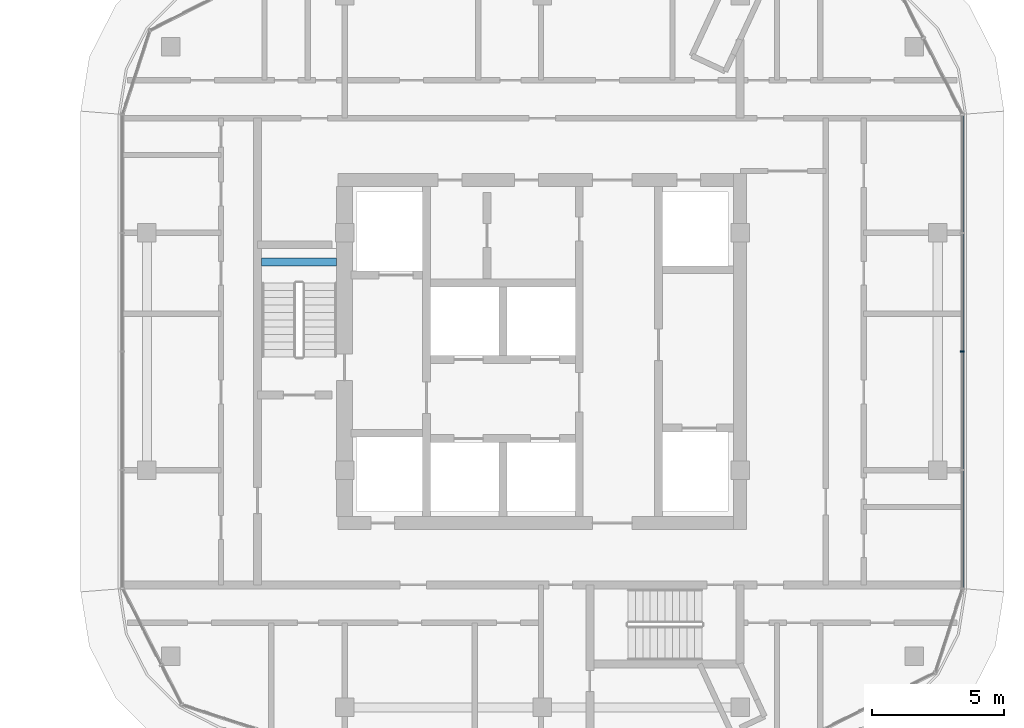
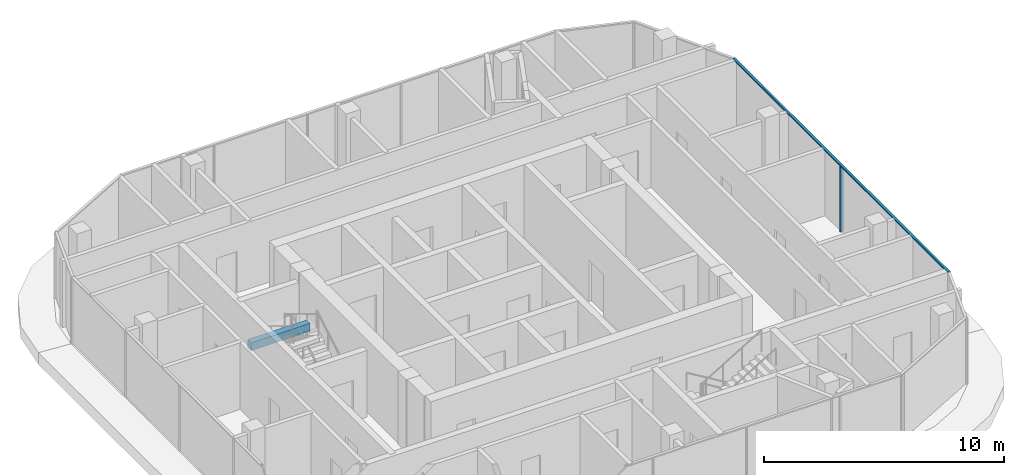
# One storey, part 12 of 40: 2 members, 1 beam, 1 element without a shape of its own.
"""IFC4 building model written with IfcOpenShell, lengths in metres."""

from ifc_helpers import new_model, si_unit, direction, frame, origin, origin_2d, place, context, subcontext, project, spatial, rectangle, extrude, material, material_profile, profile_set, type_object, element, aggregate, save


model = new_model("IFC4")

# Units and contexts
model_context = context("Model", 3, precision=1e-05, world=origin(), true_north=direction((0.0, 1.0)))
body_context = subcontext(model_context, "Body", "Model", "MODEL_VIEW")
ifc_project = project(units=[si_unit("LENGTHUNIT", "METRE"), si_unit("AREAUNIT", "SQUARE_METRE"), si_unit("VOLUMEUNIT", "CUBIC_METRE"), si_unit("PLANEANGLEUNIT", "RADIAN"), si_unit("MASSUNIT", "GRAM", prefix="KILO")], contexts=[model_context])

# Site, building, storey
site_placement = place(None, origin())
site = spatial("IfcSite", under=ifc_project, at=site_placement, CompositionType="ELEMENT")
building_placement = place(site_placement, origin())
building = spatial("IfcBuilding", under=site, at=building_placement, Name="Ogive Portal Towers", CompositionType="ELEMENT")
storey_placement = place(building_placement, frame((0.0, 0.0, 87.10009765625)))
storey = spatial("IfcBuildingStorey", under=building, at=storey_placement, Name="L20", CompositionType="ELEMENT", Elevation=87.10009765625)

# Beam
ifc_material_1 = material(Name="Concrete C40/50", Category="concrete")
ifc_material_profile_1 = material_profile(ifc_material_1, rectangle(XDim=0.300048828125, YDim=0.39990234375, at=origin_2d()), Name="RC 300x400")
ifc_profile_set_1 = profile_set([ifc_material_profile_1], Name="Concrete C40/50")
beam_type = type_object("IfcBeamType", Name="BEAM RC 300x400", PredefinedType="BEAM", material=ifc_profile_set_1)
beam_placement = place(storey_placement, frame((125.85009765625, 34.39990234375, 1.449951171875), z_axis=(1.0, 0.0, 0.0), x_axis=(0.0, 1.0, 0.0)))
element("IfcBeam", 1, at=beam_placement, inside=storey, type_object=beam_type, Name="Landing beam L20", PredefinedType="BEAM", context=body_context, shape_type="SweptSolid", body=[
    extrude(rectangle(XDim=0.300048828125, YDim=0.39990234375, at=origin_2d()), origin(), (0.0, 0.0, 1.0), 2.849853515625),
])

# Curtain wall, members
ifc_material_2 = material(Name="Glass, clear low-iron insulated glazing", Category="glass")
curtain_wall_type = type_object("IfcCurtainWallType", Name="CW RESIDENCES RIBBON", PredefinedType="NOTDEFINED", material=ifc_material_2)
curtain_wall_placement = place(storey_placement, origin())
curtain_wall = element("IfcCurtainWall", 2, at=curtain_wall_placement, inside=storey, type_object=curtain_wall_type, Name="B:L20:f05:cw0", PredefinedType="NOTDEFINED")
ifc_material_3 = material(Name="Aluminium 6063 anodised", Category="aluminium")
ifc_material_profile_2 = material_profile(ifc_material_3, rectangle(XDim=0.159912109375, YDim=0.06005859375, at=origin_2d()), Name="AL 60x160")
ifc_profile_set_2 = profile_set([ifc_material_profile_2], Name="Aluminium 6063 anodised")
member_type_1 = type_object("IfcMemberType", Name="CW MULLION 60x160", PredefinedType="MULLION", material=ifc_profile_set_2)
member_1_placement = place(storey_placement, frame((152.429931640625, 31.0, 0.0), z_axis=(0.0, 0.0, 1.0), x_axis=(-1.0, 0.0, 0.0)))
member_1 = element("IfcMember", 3, at=member_1_placement, type_object=member_type_1, Name="mullion", PredefinedType="MULLION", context=body_context, shape_type="SweptSolid", body=[
    extrude(rectangle(XDim=0.159912109375, YDim=0.06005859375, at=origin_2d()), origin(), (0.0, 0.0, 1.0), 3.33984375),
])
ifc_material_profile_3 = material_profile(ifc_material_3, rectangle(XDim=0.1201171875, YDim=0.06005859375, at=origin_2d()), Name="AL 120x60")
ifc_profile_set_3 = profile_set([ifc_material_profile_3], Name="Aluminium 6063 anodised")
member_type_2 = type_object("IfcMemberType", Name="CW TRANSOM 60x120", PredefinedType="USERDEFINED", material=ifc_profile_set_3)
member_2_placement = place(storey_placement, frame((152.429931640625, 22.0126953125, 3.369873046875), z_axis=(0.0, 1.0, 0.0), x_axis=(-1.0, 0.0, 0.0)))
member_2 = element("IfcMember", 4, at=member_2_placement, type_object=member_type_2, Name="transom", ObjectType="TRANSOM", PredefinedType="USERDEFINED", context=body_context, shape_type="SweptSolid", body=[
    extrude(rectangle(XDim=0.1201171875, YDim=0.06005859375, at=origin_2d()), origin(), (0.0, 0.0, 1.0), 17.968017578125),
])
aggregate(curtain_wall, [member_2, member_1])

save(model, "model.ifc")
